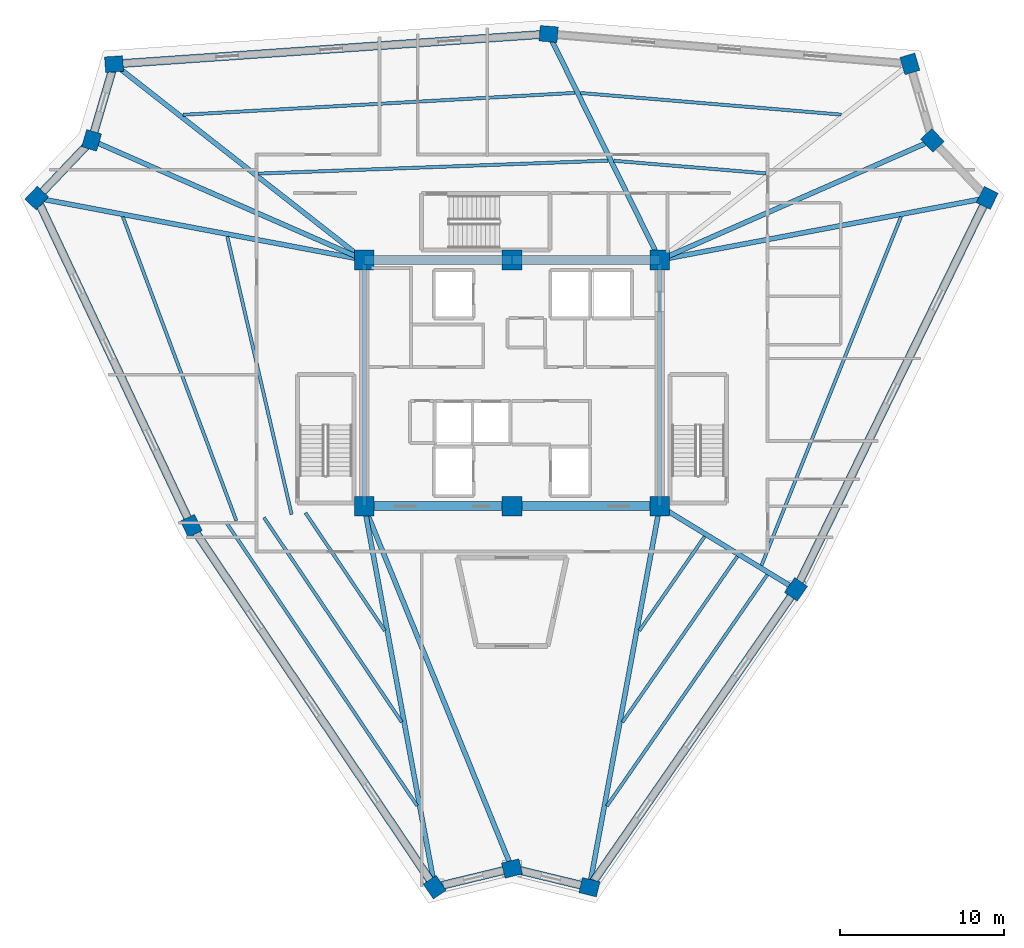
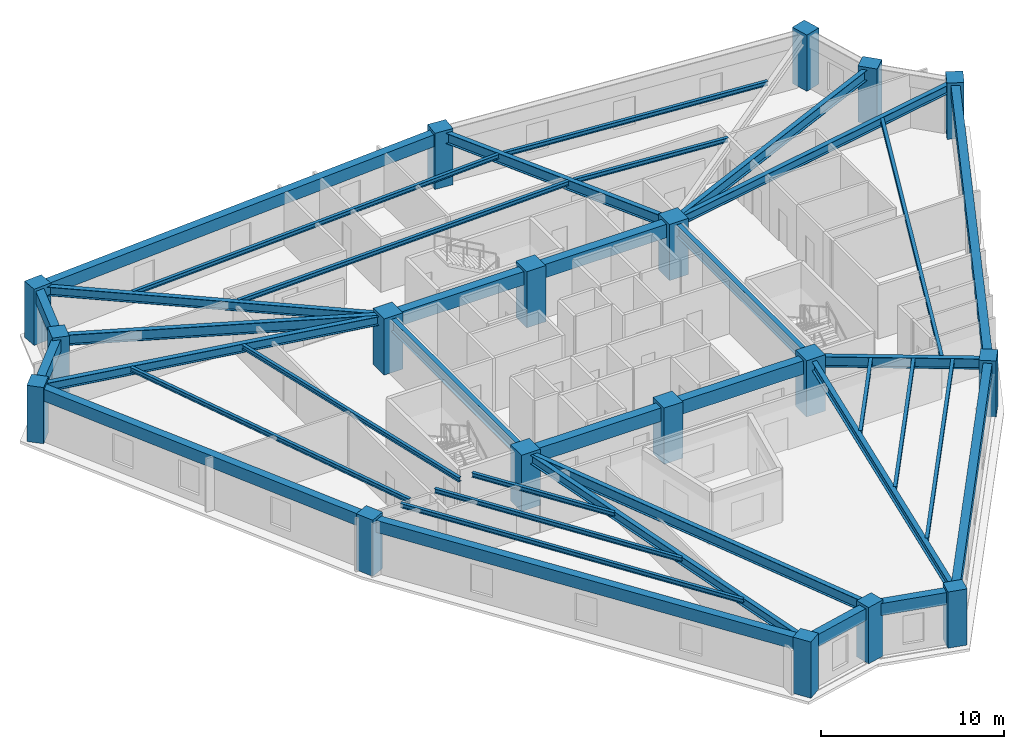
# One storey, part 1 of 10: 38 beams, 18 columns.
"""IFC4 building model written with IfcOpenShell, lengths in metres."""

from ifc_helpers import new_model, si_unit, direction, frame, origin, origin_2d, place, context, subcontext, project, spatial, rectangle, i_section, extrude, source, transform, mapped, material, material_profile, profile_set, type_object, element, save


model = new_model("IFC4")

# Units and contexts
model_context = context("Model", 3, precision=1e-05, world=origin(), true_north=direction((0.0, 1.0)))
body_context = subcontext(model_context, "Body", "Model", "MODEL_VIEW")
ifc_project = project(units=[si_unit("LENGTHUNIT", "METRE"), si_unit("AREAUNIT", "SQUARE_METRE"), si_unit("VOLUMEUNIT", "CUBIC_METRE"), si_unit("PLANEANGLEUNIT", "RADIAN"), si_unit("MASSUNIT", "GRAM", prefix="KILO")], contexts=[model_context])

# Site, building, storey
site_placement = place(None, origin())
site = spatial("IfcSite", under=ifc_project, at=site_placement, CompositionType="ELEMENT")
building_placement = place(site_placement, origin())
building = spatial("IfcBuilding", under=site, at=building_placement, Name="Liaohun Quay Tower", CompositionType="ELEMENT")
storey_placement = place(building_placement, frame((0.0, 0.0, 339.75)))
storey = spatial("IfcBuildingStorey", under=building, at=storey_placement, Name="L88", CompositionType="ELEMENT", Elevation=339.75)

# Columns
ifc_material_1 = material(Name="Concrete C50", Category="concrete")
ifc_material_profile_1 = material_profile(ifc_material_1, rectangle(XDim=1.199951171875, YDim=1.199951171875, at=origin_2d()), Name="RC1200x1200")
ifc_profile_set_1 = profile_set([ifc_material_profile_1], Name="Concrete C50")
column_type_1 = type_object("IfcColumnType", Name="COL-CC-Z4", PredefinedType="COLUMN", material=ifc_profile_set_1)
shared_shape_1 = source(origin(), body_context, "Body", "SweptSolid", [
    extrude(rectangle(XDim=1.199951171875, YDim=1.199951171875, at=origin_2d()), origin(), (0.0, 0.0, 1.0), 3.75),
])
for number, where, z_axis, x_axis, name in (
    (1, (51.0, 46.5, 0.0), (0.0, 0.0, 1.0), (1.0, 0.0, 0.0), "L88 Core Column CC1"),
    (2, (60.0, 46.5, 0.0), (0.0, 0.0, 1.0), (1.0, 0.0, 0.0), "L88 Core Column CC2"),
    (3, (69.0, 46.5, 0.0), (0.0, 0.0, 1.0), (1.0, 0.0, 0.0), "L88 Core Column CC3"),
    (4, (69.0, 61.5, 0.0), (0.0, 0.0, 1.0), (1.0, 0.0, 0.0), "L88 Core Column CC4"),
    (5, (60.0, 61.5, 0.0), (0.0, 0.0, 1.0), (1.0, 0.0, 0.0), "L88 Core Column CC5"),
    (6, (51.0, 61.5, 0.0), (0.0, 0.0, 1.0), (1.0, 0.0, 0.0), "L88 Core Column CC6"),
):
    element("IfcColumn", number, at=place(storey_placement, frame(where, z_axis=z_axis, x_axis=x_axis)), inside=storey, type_object=column_type_1, Name=name, PredefinedType="COLUMN", context=body_context, shape_type="MappedRepresentation", body=[
        mapped(shared_shape_1, transform((0.0, 0.0, 0.0), x_axis=(1.0, 0.0, 0.0), y_axis=(0.0, 1.0, 0.0), z_axis=(0.0, 0.0, 1.0), scale=1.0)),
    ])
ifc_material_profile_2 = material_profile(ifc_material_1, rectangle(XDim=1.10009765625, YDim=0.949951171875, at=origin_2d()), Name="RC1100x950")
ifc_profile_set_2 = profile_set([ifc_material_profile_2], Name="Concrete C50")
column_type_2 = type_object("IfcColumnType", Name="COL-PIER-Z4", PredefinedType="COLUMN", material=ifc_profile_set_2)
shared_shape_2 = source(origin(), body_context, "Body", "SweptSolid", [
    extrude(rectangle(XDim=1.10009765625, YDim=0.949951171875, at=origin_2d()), origin(), (0.0, 0.0, 1.0), 3.75),
])
for number, where, z_axis, x_axis, name in (
    (7, (55.29296875, 23.2939453125, 0.0), (0.0, 0.0, 1.0), (-0.558613989835, 0.829427760785, 0.0), "L88 Perimeter Pier PC01"),
    (8, (40.468994140625, 45.302978515625, 0.0), (0.0, 0.0, 1.0), (-0.426726590606, 0.904380681389, 0.0), "L88 Perimeter Pier PC02"),
    (9, (31.048095703125, 65.27001953125, 0.0), (0.0, 0.0, 1.0), (0.689493141399, 0.724292211723, 0.0), "L88 Perimeter Pier PC03"),
    (10, (34.39306640625, 68.783935546875, 0.0), (0.0, 0.0, 1.0), (0.282676303383, 0.959215360337, 0.0), "L88 Perimeter Pier PC04"),
    (11, (35.761962890625, 73.429931640625, 0.0), (0.0, 0.0, 1.0), (0.997612506361, 0.069060025714, 0.0), "L88 Perimeter Pier PC05"),
    (12, (62.23388671875, 75.262939453125, 0.0), (0.0, 0.0, 1.0), (-0.996579940078, 0.08263427276, 0.0), "L88 Perimeter Pier PC06"),
    (13, (84.235107421875, 73.43798828125, 0.0), (0.0, 0.0, 1.0), (-0.282676303383, 0.959215360337, 0.0), "L88 Perimeter Pier PC07"),
    (14, (85.60693359375, 68.783935546875, 0.0), (0.0, 0.0, 1.0), (-0.689493141399, 0.724292211723, 0.0), "L88 Perimeter Pier PC08"),
    (15, (88.946044921875, 65.27587890625, 0.0), (0.0, 0.0, 1.0), (0.438998516526, 0.898487786499, 0.0), "L88 Perimeter Pier PC09"),
    (16, (77.297119140625, 41.43408203125, 0.0), (0.0, 0.0, 1.0), (0.569853349472, 0.82174640863, 0.0), "L88 Perimeter Pier PC10"),
    (17, (64.715087890625, 23.2919921875, 0.0), (0.0, 0.0, 1.0), (-0.972043021443, 0.234802820391, 0.0), "L88 Perimeter Pier PC11"),
    (18, (60.0, 24.430908203125, 0.0), (0.0, 0.0, 1.0), (0.972043021443, 0.234802820391, 0.0), "L88 Perimeter Pier PC12"),
):
    element("IfcColumn", number, at=place(storey_placement, frame(where, z_axis=z_axis, x_axis=x_axis)), inside=storey, type_object=column_type_2, Name=name, PredefinedType="COLUMN", context=body_context, shape_type="MappedRepresentation", body=[
        mapped(shared_shape_2, transform((0.0, 0.0, 0.0), x_axis=(1.0, 0.0, 0.0), y_axis=(0.0, 1.0, 0.0), z_axis=(0.0, 0.0, 1.0), scale=1.0)),
    ])

# Beams
ifc_material_2 = material(Name="Steel Q355D", Category="steel")
ifc_material_profile_3 = material_profile(ifc_material_2, i_section(OverallWidth=0.300048828125, OverallDepth=0.800048828125, WebThickness=0.013916015625, FlangeThickness=0.02587890625, at=origin_2d()), Name="HN800x300x14x26")
ifc_profile_set_3 = profile_set([ifc_material_profile_3], Name="Steel Q355D")
beam_type_1 = type_object("IfcBeamType", Name="BM-RAD-M1", PredefinedType="BEAM", material=ifc_profile_set_3)
shared_shape_3 = source(origin(), body_context, "Body", "SweptSolid", [
    extrude(i_section(OverallWidth=0.300048828125, OverallDepth=0.800048828125, WebThickness=0.013916015625, FlangeThickness=0.02587890625, at=origin_2d()), origin(), (0.0, 0.0, 1.0), 15.0),
])
for number, where, z_axis, x_axis, name in (
    (19, (69.0, 46.5, 3.169921875), (0.0, 1.0, 0.0), (-1.0, 0.0, 0.0), "L88 Core Coupling/Ring Beam CC3-CC4"),
    (20, (51.0, 61.5, 3.169921875), (0.0, -1.0, 0.0), (1.0, 0.0, 0.0), "L88 Core Coupling/Ring Beam CC6-CC1"),
):
    element("IfcBeam", number, at=place(storey_placement, frame(where, z_axis=z_axis, x_axis=x_axis)), inside=storey, type_object=beam_type_1, Name=name, PredefinedType="BEAM", context=body_context, shape_type="MappedRepresentation", body=[
        mapped(shared_shape_3, transform((0.0, 0.0, 0.0), x_axis=(1.0, 0.0, 0.0), y_axis=(0.0, 1.0, 0.0), z_axis=(0.0, 0.0, 1.0), scale=1.0)),
    ])
ifc_material_3 = material(Name="Concrete C55", Category="concrete")
ifc_material_profile_4 = material_profile(ifc_material_3, rectangle(XDim=0.550048828125, YDim=0.89990234375, at=origin_2d()), Name="RC550x900")
ifc_profile_set_4 = profile_set([ifc_material_profile_4], Name="Concrete C55")
beam_type_2 = type_object("IfcBeamType", Name="BM-CPL-2", PredefinedType="LINTEL", material=ifc_profile_set_4)
shared_shape_4 = source(origin(), body_context, "Body", "SweptSolid", [
    extrude(rectangle(XDim=0.550048828125, YDim=0.89990234375, at=origin_2d()), origin(), (0.0, 0.0, 1.0), 9.0),
])
for number, where, z_axis, x_axis, name in (
    (21, (51.0, 46.5, 3.1201171875), (1.0, 0.0, 0.0), (0.0, 1.0, 0.0), "L88 Core Coupling/Ring Beam CC1-CC2"),
    (22, (60.0, 46.5, 3.1201171875), (1.0, 0.0, 0.0), (0.0, 1.0, 0.0), "L88 Core Coupling/Ring Beam CC2-CC3"),
    (23, (69.0, 61.5, 3.1201171875), (-1.0, 0.0, 0.0), (0.0, -1.0, 0.0), "L88 Core Coupling/Ring Beam CC4-CC5"),
    (24, (60.0, 61.5, 3.1201171875), (-1.0, 0.0, 0.0), (0.0, -1.0, 0.0), "L88 Core Coupling/Ring Beam CC5-CC6"),
):
    element("IfcBeam", number, at=place(storey_placement, frame(where, z_axis=z_axis, x_axis=x_axis)), inside=storey, type_object=beam_type_2, Name=name, PredefinedType="LINTEL", context=body_context, shape_type="MappedRepresentation", body=[
        mapped(shared_shape_4, transform((0.0, 0.0, 0.0), x_axis=(1.0, 0.0, 0.0), y_axis=(0.0, 1.0, 0.0), z_axis=(0.0, 0.0, 1.0), scale=1.0)),
    ])
ifc_material_profile_5 = material_profile(ifc_material_2, i_section(OverallWidth=0.300048828125, OverallDepth=0.587890625, WebThickness=0.011962890625, FlangeThickness=0.02001953125, at=origin_2d()), Name="HM588x300x12x20")
ifc_profile_set_5 = profile_set([ifc_material_profile_5], Name="Steel Q355D")
beam_type_3 = type_object("IfcBeamType", Name="BM-RAD-U2", PredefinedType="BEAM", material=ifc_profile_set_5)
shared_shape_5 = source(origin(), body_context, "Body", "SweptSolid", [
    extrude(i_section(OverallWidth=0.300048828125, OverallDepth=0.587890625, WebThickness=0.011962890625, FlangeThickness=0.02001953125, at=origin_2d()), origin(), (0.0, 0.0, 1.0), 23.599853515625),
])
beam_1_placement = place(storey_placement, frame((51.0, 46.5, 3.27587890625), z_axis=(0.181906997941, -0.98331573978, 0.0), x_axis=(0.98331573978, 0.181906997941, 0.0)))
element("IfcBeam", 25, at=beam_1_placement, inside=storey, type_object=beam_type_3, Name="L88 Radial Primary Girder CC1-PC01", PredefinedType="BEAM", context=body_context, shape_type="MappedRepresentation", body=[
    mapped(shared_shape_5, transform((0.0, 0.0, 0.0), x_axis=(1.0, 0.0, 0.0), y_axis=(0.0, 1.0, 0.0), z_axis=(0.0, 0.0, 1.0), scale=1.0)),
])
shared_shape_6 = source(origin(), body_context, "Body", "SweptSolid", [
    extrude(i_section(OverallWidth=0.300048828125, OverallDepth=0.587890625, WebThickness=0.011962890625, FlangeThickness=0.02001953125, at=origin_2d()), origin(), (0.0, 0.0, 1.0), 20.304931640625),
])
beam_2_placement = place(storey_placement, frame((51.0, 61.5, 3.27587890625), z_axis=(-0.982612184872, 0.185669852536, 0.0), x_axis=(-0.185669852536, -0.982612184872, 0.0)))
element("IfcBeam", 26, at=beam_2_placement, inside=storey, type_object=beam_type_3, Name="L88 Radial Primary Girder CC6-PC03", PredefinedType="BEAM", context=body_context, shape_type="MappedRepresentation", body=[
    mapped(shared_shape_6, transform((0.0, 0.0, 0.0), x_axis=(1.0, 0.0, 0.0), y_axis=(0.0, 1.0, 0.0), z_axis=(0.0, 0.0, 1.0), scale=1.0)),
])
ifc_material_profile_6 = material_profile(ifc_material_2, i_section(OverallWidth=0.300048828125, OverallDepth=0.699951171875, WebThickness=0.012939453125, FlangeThickness=0.02392578125, at=origin_2d()), Name="HN700x300x13x24")
ifc_profile_set_6 = profile_set([ifc_material_profile_6], Name="Steel Q355D")
beam_type_4 = type_object("IfcBeamType", Name="BM-RAD-U1", PredefinedType="BEAM", material=ifc_profile_set_6)
shared_shape_7 = source(origin(), body_context, "Body", "SweptSolid", [
    extrude(i_section(OverallWidth=0.300048828125, OverallDepth=0.699951171875, WebThickness=0.012939453125, FlangeThickness=0.02392578125, at=origin_2d()), origin(), (0.0, 0.0, 1.0), 18.134033203125),
])
for number, where, z_axis, x_axis, name in (
    (27, (51.0, 61.5, 3.219970703125), (-0.915784299111, 0.401670409044, 0.0), (-0.401670409044, -0.915784299111, 0.0), "L88 Radial Primary Girder CC6-PC04"),
    (28, (69.0, 61.5, 3.219970703125), (0.915784299111, 0.401670409044, 0.0), (-0.401670409044, 0.915784299111, 0.0), "L88 Radial Primary Girder CC4-PC08"),
):
    element("IfcBeam", number, at=place(storey_placement, frame(where, z_axis=z_axis, x_axis=x_axis)), inside=storey, type_object=beam_type_4, Name=name, PredefinedType="BEAM", context=body_context, shape_type="MappedRepresentation", body=[
        mapped(shared_shape_7, transform((0.0, 0.0, 0.0), x_axis=(1.0, 0.0, 0.0), y_axis=(0.0, 1.0, 0.0), z_axis=(0.0, 0.0, 1.0), scale=1.0)),
    ])
shared_shape_8 = source(origin(), body_context, "Body", "SweptSolid", [
    extrude(i_section(OverallWidth=0.300048828125, OverallDepth=0.587890625, WebThickness=0.011962890625, FlangeThickness=0.02001953125, at=origin_2d()), origin(), (0.0, 0.0, 1.0), 19.3525390625),
])
beam_3_placement = place(storey_placement, frame((51.0, 61.5, 3.27587890625), z_axis=(-0.787391848215, 0.616452818442, 0.0), x_axis=(-0.616452818442, -0.787391848215, 0.0)))
element("IfcBeam", 29, at=beam_3_placement, inside=storey, type_object=beam_type_3, Name="L88 Radial Primary Girder CC6-PC05", PredefinedType="BEAM", context=body_context, shape_type="MappedRepresentation", body=[
    mapped(shared_shape_8, transform((0.0, 0.0, 0.0), x_axis=(1.0, 0.0, 0.0), y_axis=(0.0, 1.0, 0.0), z_axis=(0.0, 0.0, 1.0), scale=1.0)),
])
shared_shape_9 = source(origin(), body_context, "Body", "SweptSolid", [
    extrude(i_section(OverallWidth=0.300048828125, OverallDepth=0.699951171875, WebThickness=0.012939453125, FlangeThickness=0.02392578125, at=origin_2d()), origin(), (0.0, 0.0, 1.0), 15.336181640625),
])
beam_4_placement = place(storey_placement, frame((69.0, 61.5, 3.219970703125), z_axis=(-0.441185999181, 0.897415686361, 0.0), x_axis=(-0.897415686361, -0.441185999181, 0.0)))
element("IfcBeam", 30, at=beam_4_placement, inside=storey, type_object=beam_type_4, Name="L88 Radial Primary Girder CC4-PC06", PredefinedType="BEAM", context=body_context, shape_type="MappedRepresentation", body=[
    mapped(shared_shape_9, transform((0.0, 0.0, 0.0), x_axis=(1.0, 0.0, 0.0), y_axis=(0.0, 1.0, 0.0), z_axis=(0.0, 0.0, 1.0), scale=1.0)),
])
shared_shape_10 = source(origin(), body_context, "Body", "SweptSolid", [
    extrude(i_section(OverallWidth=0.300048828125, OverallDepth=0.587890625, WebThickness=0.011962890625, FlangeThickness=0.02001953125, at=origin_2d()), origin(), (0.0, 0.0, 1.0), 20.30029296875),
])
beam_5_placement = place(storey_placement, frame((69.0, 61.5, 3.27587890625), z_axis=(0.982549519823, 0.186001185738, 0.0), x_axis=(-0.186001185738, 0.982549519823, 0.0)))
element("IfcBeam", 31, at=beam_5_placement, inside=storey, type_object=beam_type_3, Name="L88 Radial Primary Girder CC4-PC09", PredefinedType="BEAM", context=body_context, shape_type="MappedRepresentation", body=[
    mapped(shared_shape_10, transform((0.0, 0.0, 0.0), x_axis=(1.0, 0.0, 0.0), y_axis=(0.0, 1.0, 0.0), z_axis=(0.0, 0.0, 1.0), scale=1.0)),
])
shared_shape_11 = source(origin(), body_context, "Body", "SweptSolid", [
    extrude(i_section(OverallWidth=0.300048828125, OverallDepth=0.699951171875, WebThickness=0.012939453125, FlangeThickness=0.02392578125, at=origin_2d()), origin(), (0.0, 0.0, 1.0), 9.721435546875),
])
beam_6_placement = place(storey_placement, frame((69.0, 46.5, 3.219970703125), z_axis=(0.853489729957, -0.521109662987, 0.0), x_axis=(0.521109662987, 0.853489729957, 0.0)))
element("IfcBeam", 32, at=beam_6_placement, inside=storey, type_object=beam_type_4, Name="L88 Radial Primary Girder CC3-PC10", PredefinedType="BEAM", context=body_context, shape_type="MappedRepresentation", body=[
    mapped(shared_shape_11, transform((0.0, 0.0, 0.0), x_axis=(1.0, 0.0, 0.0), y_axis=(0.0, 1.0, 0.0), z_axis=(0.0, 0.0, 1.0), scale=1.0)),
])
shared_shape_12 = source(origin(), body_context, "Body", "SweptSolid", [
    extrude(i_section(OverallWidth=0.300048828125, OverallDepth=0.587890625, WebThickness=0.011962890625, FlangeThickness=0.02001953125, at=origin_2d()), origin(), (0.0, 0.0, 1.0), 23.600341796875),
])
beam_7_placement = place(storey_placement, frame((69.0, 46.5, 3.27587890625), z_axis=(-0.181562100476, -0.98337948101, 0.0), x_axis=(0.98337948101, -0.181562100476, 0.0)))
element("IfcBeam", 33, at=beam_7_placement, inside=storey, type_object=beam_type_3, Name="L88 Radial Primary Girder CC3-PC11", PredefinedType="BEAM", context=body_context, shape_type="MappedRepresentation", body=[
    mapped(shared_shape_12, transform((0.0, 0.0, 0.0), x_axis=(1.0, 0.0, 0.0), y_axis=(0.0, 1.0, 0.0), z_axis=(0.0, 0.0, 1.0), scale=1.0)),
])
shared_shape_13 = source(origin(), body_context, "Body", "SweptSolid", [
    extrude(i_section(OverallWidth=0.300048828125, OverallDepth=0.699951171875, WebThickness=0.012939453125, FlangeThickness=0.02392578125, at=origin_2d()), origin(), (0.0, 0.0, 1.0), 23.833740234375),
])
beam_8_placement = place(storey_placement, frame((51.0, 46.5, 3.219970703125), z_axis=(0.377616715366, -0.92596199505, 0.0), x_axis=(0.92596199505, 0.377616715366, 0.0)))
element("IfcBeam", 34, at=beam_8_placement, inside=storey, type_object=beam_type_4, Name="L88 Radial Primary Girder CC1-PC12", PredefinedType="BEAM", context=body_context, shape_type="MappedRepresentation", body=[
    mapped(shared_shape_13, transform((0.0, 0.0, 0.0), x_axis=(1.0, 0.0, 0.0), y_axis=(0.0, 1.0, 0.0), z_axis=(0.0, 0.0, 1.0), scale=1.0)),
])
ifc_material_profile_7 = material_profile(ifc_material_2, i_section(OverallWidth=0.199951171875, OverallDepth=0.2939453125, WebThickness=0.008056640625, FlangeThickness=0.011962890625, at=origin_2d()), Name="HM294x200x8x12")
ifc_profile_set_7 = profile_set([ifc_material_profile_7], Name="Steel Q355D")
beam_type_5 = type_object("IfcBeamType", Name="BM-SEC-J4", PredefinedType="JOIST", material=ifc_profile_set_7)
shared_shape_14 = source(origin(), body_context, "Body", "SweptSolid", [
    extrude(i_section(OverallWidth=0.199951171875, OverallDepth=0.2939453125, WebThickness=0.008056640625, FlangeThickness=0.011962890625, at=origin_2d()), origin(), (0.0, 0.0, 1.0), 8.64599609375),
])
beam_9_placement = place(storey_placement, frame((52.2490234375, 38.922119140625, 3.423095703125), z_axis=(-0.558655882826, 0.8293995446, 0.0), x_axis=(-0.8293995446, -0.558655882826, 0.0)))
element("IfcBeam", 35, at=beam_9_placement, inside=storey, type_object=beam_type_5, Name="L88 Wing Secondary Floor Joist SJ-01", PredefinedType="JOIST", context=body_context, shape_type="MappedRepresentation", body=[
    mapped(shared_shape_14, transform((0.0, 0.0, 0.0), x_axis=(1.0, 0.0, 0.0), y_axis=(0.0, 1.0, 0.0), z_axis=(0.0, 0.0, 1.0), scale=1.0)),
])
shared_shape_15 = source(origin(), body_context, "Body", "SweptSolid", [
    extrude(i_section(OverallWidth=0.199951171875, OverallDepth=0.2939453125, WebThickness=0.008056640625, FlangeThickness=0.011962890625, at=origin_2d()), origin(), (0.0, 0.0, 1.0), 15.014404296875),
])
beam_10_placement = place(storey_placement, frame((53.280029296875, 33.35302734375, 3.423095703125), z_axis=(-0.558660192246, 0.829396641903, 0.0), x_axis=(-0.829396641903, -0.558660192246, 0.0)))
element("IfcBeam", 36, at=beam_10_placement, inside=storey, type_object=beam_type_5, Name="L88 Wing Secondary Floor Joist SJ-02", PredefinedType="JOIST", context=body_context, shape_type="MappedRepresentation", body=[
    mapped(shared_shape_15, transform((0.0, 0.0, 0.0), x_axis=(1.0, 0.0, 0.0), y_axis=(0.0, 1.0, 0.0), z_axis=(0.0, 0.0, 1.0), scale=1.0)),
])
shared_shape_16 = source(origin(), body_context, "Body", "SweptSolid", [
    extrude(i_section(OverallWidth=0.199951171875, OverallDepth=0.2939453125, WebThickness=0.008056640625, FlangeThickness=0.011962890625, at=origin_2d()), origin(), (0.0, 0.0, 1.0), 20.852294921875),
])
beam_11_placement = place(storey_placement, frame((54.22412109375, 28.2470703125, 3.423095703125), z_axis=(-0.558652159072, 0.829402052785, 0.0), x_axis=(-0.829402052785, -0.558652159072, 0.0)))
element("IfcBeam", 37, at=beam_11_placement, inside=storey, type_object=beam_type_5, Name="L88 Wing Secondary Floor Joist SJ-03", PredefinedType="JOIST", context=body_context, shape_type="MappedRepresentation", body=[
    mapped(shared_shape_16, transform((0.0, 0.0, 0.0), x_axis=(1.0, 0.0, 0.0), y_axis=(0.0, 1.0, 0.0), z_axis=(0.0, 0.0, 1.0), scale=1.0)),
])
shared_shape_17 = source(origin(), body_context, "Body", "SweptSolid", [
    extrude(i_section(OverallWidth=0.199951171875, OverallDepth=0.2939453125, WebThickness=0.008056640625, FlangeThickness=0.011962890625, at=origin_2d()), origin(), (0.0, 0.0, 1.0), 17.375),
])
beam_12_placement = place(storey_placement, frame((46.576904296875, 45.9970703125, 3.423095703125), z_axis=(-0.225607553343, 0.974218267061, 0.0), x_axis=(-0.974218267061, -0.225607553343, 0.0)))
element("IfcBeam", 38, at=beam_12_placement, inside=storey, type_object=beam_type_5, Name="L88 Wing Secondary Floor Joist SJ-04", PredefinedType="JOIST", context=body_context, shape_type="MappedRepresentation", body=[
    mapped(shared_shape_17, transform((0.0, 0.0, 0.0), x_axis=(1.0, 0.0, 0.0), y_axis=(0.0, 1.0, 0.0), z_axis=(0.0, 0.0, 1.0), scale=1.0)),
])
shared_shape_18 = source(origin(), body_context, "Body", "SweptSolid", [
    extrude(i_section(OverallWidth=0.199951171875, OverallDepth=0.2939453125, WebThickness=0.008056640625, FlangeThickness=0.011962890625, at=origin_2d()), origin(), (0.0, 0.0, 1.0), 19.759521484375),
])
beam_13_placement = place(storey_placement, frame((43.20703125, 45.614013671875, 3.423095703125), z_axis=(-0.349699944184, 0.936861755564, 0.0), x_axis=(-0.936861755564, -0.349699944184, 0.0)))
element("IfcBeam", 39, at=beam_13_placement, inside=storey, type_object=beam_type_5, Name="L88 Wing Secondary Floor Joist SJ-05", PredefinedType="JOIST", context=body_context, shape_type="MappedRepresentation", body=[
    mapped(shared_shape_18, transform((0.0, 0.0, 0.0), x_axis=(1.0, 0.0, 0.0), y_axis=(0.0, 1.0, 0.0), z_axis=(0.0, 0.0, 1.0), scale=1.0)),
])
shared_shape_19 = source(origin(), body_context, "Body", "SweptSolid", [
    extrude(i_section(OverallWidth=0.199951171875, OverallDepth=0.2939453125, WebThickness=0.008056640625, FlangeThickness=0.011962890625, at=origin_2d()), origin(), (0.0, 0.0, 1.0), 21.345458984375),
])
beam_14_placement = place(storey_placement, frame((44.528076171875, 66.758056640625, 3.423095703125), z_axis=(0.999311429617, 0.037103458558, 0.0), x_axis=(-0.037103458558, 0.999311429617, 0.0)))
element("IfcBeam", 40, at=beam_14_placement, inside=storey, type_object=beam_type_5, Name="L88 Wing Secondary Floor Joist SJ-06", PredefinedType="JOIST", context=body_context, shape_type="MappedRepresentation", body=[
    mapped(shared_shape_19, transform((0.0, 0.0, 0.0), x_axis=(1.0, 0.0, 0.0), y_axis=(0.0, 1.0, 0.0), z_axis=(0.0, 0.0, 1.0), scale=1.0)),
])
shared_shape_20 = source(origin(), body_context, "Body", "SweptSolid", [
    extrude(i_section(OverallWidth=0.199951171875, OverallDepth=0.2939453125, WebThickness=0.008056640625, FlangeThickness=0.011962890625, at=origin_2d()), origin(), (0.0, 0.0, 1.0), 23.91650390625),
])
beam_15_placement = place(storey_placement, frame((39.950927734375, 70.341064453125, 3.423095703125), z_axis=(0.998440975857, 0.055817718778, 0.0), x_axis=(-0.055817718778, 0.998440975857, 0.0)))
element("IfcBeam", 41, at=beam_15_placement, inside=storey, type_object=beam_type_5, Name="L88 Wing Secondary Floor Joist SJ-07", PredefinedType="JOIST", context=body_context, shape_type="MappedRepresentation", body=[
    mapped(shared_shape_20, transform((0.0, 0.0, 0.0), x_axis=(1.0, 0.0, 0.0), y_axis=(0.0, 1.0, 0.0), z_axis=(0.0, 0.0, 1.0), scale=1.0)),
])
shared_shape_21 = source(origin(), body_context, "Body", "SweptSolid", [
    extrude(i_section(OverallWidth=0.199951171875, OverallDepth=0.2939453125, WebThickness=0.008056640625, FlangeThickness=0.011962890625, at=origin_2d()), origin(), (0.0, 0.0, 1.0), 9.31787109375),
])
beam_16_placement = place(storey_placement, frame((66.197021484375, 67.541015625, 3.423095703125), z_axis=(0.996579466831, -0.082639979976, 0.0), x_axis=(0.082639979976, 0.996579466831, 0.0)))
element("IfcBeam", 42, at=beam_16_placement, inside=storey, type_object=beam_type_5, Name="L88 Wing Secondary Floor Joist SJ-08", PredefinedType="JOIST", context=body_context, shape_type="MappedRepresentation", body=[
    mapped(shared_shape_21, transform((0.0, 0.0, 0.0), x_axis=(1.0, 0.0, 0.0), y_axis=(0.0, 1.0, 0.0), z_axis=(0.0, 0.0, 1.0), scale=1.0)),
])
shared_shape_22 = source(origin(), body_context, "Body", "SweptSolid", [
    extrude(i_section(OverallWidth=0.199951171875, OverallDepth=0.2939453125, WebThickness=0.008056640625, FlangeThickness=0.011962890625, at=origin_2d()), origin(), (0.0, 0.0, 1.0), 15.941650390625),
])
beam_17_placement = place(storey_placement, frame((64.1669921875, 71.669921875, 3.423095703125), z_axis=(0.996577055994, -0.082669047812, 0.0), x_axis=(0.082669047812, 0.996577055994, 0.0)))
element("IfcBeam", 43, at=beam_17_placement, inside=storey, type_object=beam_type_5, Name="L88 Wing Secondary Floor Joist SJ-09", PredefinedType="JOIST", context=body_context, shape_type="MappedRepresentation", body=[
    mapped(shared_shape_22, transform((0.0, 0.0, 0.0), x_axis=(1.0, 0.0, 0.0), y_axis=(0.0, 1.0, 0.0), z_axis=(0.0, 0.0, 1.0), scale=1.0)),
])
shared_shape_23 = source(origin(), body_context, "Body", "SweptSolid", [
    extrude(i_section(OverallWidth=0.199951171875, OverallDepth=0.2939453125, WebThickness=0.008056640625, FlangeThickness=0.011962890625, at=origin_2d()), origin(), (0.0, 0.0, 1.0), 22.8740234375),
])
beam_18_placement = place(storey_placement, frame((83.694091796875, 64.12890625, 3.423095703125), z_axis=(-0.371515808082, -0.928426628413, 0.0), x_axis=(0.928426628413, -0.371515808082, 0.0)))
element("IfcBeam", 44, at=beam_18_placement, inside=storey, type_object=beam_type_5, Name="L88 Wing Secondary Floor Joist SJ-11", PredefinedType="JOIST", context=body_context, shape_type="MappedRepresentation", body=[
    mapped(shared_shape_23, transform((0.0, 0.0, 0.0), x_axis=(1.0, 0.0, 0.0), y_axis=(0.0, 1.0, 0.0), z_axis=(0.0, 0.0, 1.0), scale=1.0)),
])
shared_shape_24 = source(origin(), body_context, "Body", "SweptSolid", [
    extrude(i_section(OverallWidth=0.199951171875, OverallDepth=0.2939453125, WebThickness=0.008056640625, FlangeThickness=0.011962890625, at=origin_2d()), origin(), (0.0, 0.0, 1.0), 6.991455078125),
])
beam_19_placement = place(storey_placement, frame((71.735107421875, 44.654052734375, 3.423095703125), z_axis=(-0.569861689004, -0.821740625384, 0.0), x_axis=(0.821740625384, -0.569861689004, 0.0)))
element("IfcBeam", 45, at=beam_19_placement, inside=storey, type_object=beam_type_5, Name="L88 Wing Secondary Floor Joist SJ-12", PredefinedType="JOIST", context=body_context, shape_type="MappedRepresentation", body=[
    mapped(shared_shape_24, transform((0.0, 0.0, 0.0), x_axis=(1.0, 0.0, 0.0), y_axis=(0.0, 1.0, 0.0), z_axis=(0.0, 0.0, 1.0), scale=1.0)),
])
shared_shape_25 = source(origin(), body_context, "Body", "SweptSolid", [
    extrude(i_section(OverallWidth=0.199951171875, OverallDepth=0.2939453125, WebThickness=0.008056640625, FlangeThickness=0.011962890625, at=origin_2d()), origin(), (0.0, 0.0, 1.0), 12.2900390625),
])
beam_20_placement = place(storey_placement, frame((73.72705078125, 43.43798828125, 3.423095703125), z_axis=(-0.569903934807, -0.821711327104, 0.0), x_axis=(0.821711327104, -0.569903934807, 0.0)))
element("IfcBeam", 46, at=beam_20_placement, inside=storey, type_object=beam_type_5, Name="L88 Wing Secondary Floor Joist SJ-13", PredefinedType="JOIST", context=body_context, shape_type="MappedRepresentation", body=[
    mapped(shared_shape_25, transform((0.0, 0.0, 0.0), x_axis=(1.0, 0.0, 0.0), y_axis=(0.0, 1.0, 0.0), z_axis=(0.0, 0.0, 1.0), scale=1.0)),
])
shared_shape_26 = source(origin(), body_context, "Body", "SweptSolid", [
    extrude(i_section(OverallWidth=0.199951171875, OverallDepth=0.2939453125, WebThickness=0.008056640625, FlangeThickness=0.011962890625, at=origin_2d()), origin(), (0.0, 0.0, 1.0), 17.14794921875),
])
beam_21_placement = place(storey_placement, frame((75.552001953125, 42.323974609375, 3.423095703125), z_axis=(-0.569865001895, -0.821738327946, 0.0), x_axis=(0.821738327946, -0.569865001895, 0.0)))
element("IfcBeam", 47, at=beam_21_placement, inside=storey, type_object=beam_type_5, Name="L88 Wing Secondary Floor Joist SJ-14", PredefinedType="JOIST", context=body_context, shape_type="MappedRepresentation", body=[
    mapped(shared_shape_26, transform((0.0, 0.0, 0.0), x_axis=(1.0, 0.0, 0.0), y_axis=(0.0, 1.0, 0.0), z_axis=(0.0, 0.0, 1.0), scale=1.0)),
])
ifc_material_4 = material(Name="Precast concrete C50", Category="concrete")
ifc_material_profile_8 = material_profile(ifc_material_4, rectangle(XDim=0.5, YDim=0.800048828125, at=origin_2d()), Name="RC500x800")
ifc_profile_set_8 = profile_set([ifc_material_profile_8], Name="Precast concrete C50")
beam_type_6 = type_object("IfcBeamType", Name="BM-SPD-Z4", PredefinedType="SPANDREL", material=ifc_profile_set_8)
shared_shape_27 = source(origin(), body_context, "Body", "SweptSolid", [
    extrude(rectangle(XDim=0.5, YDim=0.800048828125, at=origin_2d()), origin(), (0.0, 0.0, 1.0), 26.535888671875),
])
beam_22_placement = place(storey_placement, frame((55.29296875, 23.2939453125, 3.169921875), z_axis=(-0.558640939792, 0.829409609534, 0.0), x_axis=(-0.829409609534, -0.558640939792, 0.0)))
element("IfcBeam", 48, at=beam_22_placement, inside=storey, type_object=beam_type_6, Name="L88 Precast Spandrel Beam PC01-PC02", PredefinedType="SPANDREL", context=body_context, shape_type="MappedRepresentation", body=[
    mapped(shared_shape_27, transform((0.0, 0.0, 0.0), x_axis=(1.0, 0.0, 0.0), y_axis=(0.0, 1.0, 0.0), z_axis=(0.0, 0.0, 1.0), scale=1.0)),
])
shared_shape_28 = source(origin(), body_context, "Body", "SweptSolid", [
    extrude(rectangle(XDim=0.5, YDim=0.800048828125, at=origin_2d()), origin(), (0.0, 0.0, 1.0), 22.077880859375),
])
beam_23_placement = place(storey_placement, frame((40.468994140625, 45.302978515625, 3.169921875), z_axis=(-0.426710664555, 0.904388195829, 0.0), x_axis=(-0.904388195829, -0.426710664555, 0.0)))
element("IfcBeam", 49, at=beam_23_placement, inside=storey, type_object=beam_type_6, Name="L88 Precast Spandrel Beam PC02-PC03", PredefinedType="SPANDREL", context=body_context, shape_type="MappedRepresentation", body=[
    mapped(shared_shape_28, transform((0.0, 0.0, 0.0), x_axis=(1.0, 0.0, 0.0), y_axis=(0.0, 1.0, 0.0), z_axis=(0.0, 0.0, 1.0), scale=1.0)),
])
shared_shape_29 = source(origin(), body_context, "Body", "SweptSolid", [
    extrude(rectangle(XDim=0.5, YDim=0.800048828125, at=origin_2d()), origin(), (0.0, 0.0, 1.0), 4.851318359375),
])
beam_24_placement = place(storey_placement, frame((31.048095703125, 65.27001953125, 3.169921875), z_axis=(0.689480486578, 0.724304258325, 0.0), x_axis=(-0.724304258325, 0.689480486578, 0.0)))
element("IfcBeam", 50, at=beam_24_placement, inside=storey, type_object=beam_type_6, Name="L88 Precast Spandrel Beam PC03-PC04", PredefinedType="SPANDREL", context=body_context, shape_type="MappedRepresentation", body=[
    mapped(shared_shape_29, transform((0.0, 0.0, 0.0), x_axis=(1.0, 0.0, 0.0), y_axis=(0.0, 1.0, 0.0), z_axis=(0.0, 0.0, 1.0), scale=1.0)),
])
shared_shape_30 = source(origin(), body_context, "Body", "SweptSolid", [
    extrude(rectangle(XDim=0.5, YDim=0.800048828125, at=origin_2d()), origin(), (0.0, 0.0, 1.0), 4.843505859375),
])
beam_25_placement = place(storey_placement, frame((34.39306640625, 68.783935546875, 3.169921875), z_axis=(0.282627491947, 0.95922974349, 0.0), x_axis=(-0.95922974349, 0.282627491947, 0.0)))
element("IfcBeam", 51, at=beam_25_placement, inside=storey, type_object=beam_type_6, Name="L88 Precast Spandrel Beam PC04-PC05", PredefinedType="SPANDREL", context=body_context, shape_type="MappedRepresentation", body=[
    mapped(shared_shape_30, transform((0.0, 0.0, 0.0), x_axis=(1.0, 0.0, 0.0), y_axis=(0.0, 1.0, 0.0), z_axis=(0.0, 0.0, 1.0), scale=1.0)),
])
shared_shape_31 = source(origin(), body_context, "Body", "SweptSolid", [
    extrude(rectangle(XDim=0.5, YDim=0.800048828125, at=origin_2d()), origin(), (0.0, 0.0, 1.0), 26.535400390625),
])
for number, where, z_axis, x_axis, name in (
    (52, (35.761962890625, 73.429931640625, 3.169921875), (0.997611257543, 0.069078063264, 0.0), (-0.069078063264, 0.997611257543, 0.0), "L88 Precast Spandrel Beam PC05-PC06"),
    (53, (88.946044921875, 65.27587890625, 3.169921875), (-0.438995268707, -0.898489373367, 0.0), (0.898489373367, -0.438995268707, 0.0), "L88 Precast Spandrel Beam PC09-PC10"),
):
    element("IfcBeam", number, at=place(storey_placement, frame(where, z_axis=z_axis, x_axis=x_axis)), inside=storey, type_object=beam_type_6, Name=name, PredefinedType="SPANDREL", context=body_context, shape_type="MappedRepresentation", body=[
        mapped(shared_shape_31, transform((0.0, 0.0, 0.0), x_axis=(1.0, 0.0, 0.0), y_axis=(0.0, 1.0, 0.0), z_axis=(0.0, 0.0, 1.0), scale=1.0)),
    ])
shared_shape_32 = source(origin(), body_context, "Body", "SweptSolid", [
    extrude(rectangle(XDim=0.5, YDim=0.800048828125, at=origin_2d()), origin(), (0.0, 0.0, 1.0), 22.078125),
])
beam_26_placement = place(storey_placement, frame((77.297119140625, 41.43408203125, 3.169921875), z_axis=(-0.569887156963, -0.821722963248, 0.0), x_axis=(0.821722963248, -0.569887156963, 0.0)))
element("IfcBeam", 54, at=beam_26_placement, inside=storey, type_object=beam_type_6, Name="L88 Precast Spandrel Beam PC10-PC11", PredefinedType="SPANDREL", context=body_context, shape_type="MappedRepresentation", body=[
    mapped(shared_shape_32, transform((0.0, 0.0, 0.0), x_axis=(1.0, 0.0, 0.0), y_axis=(0.0, 1.0, 0.0), z_axis=(0.0, 0.0, 1.0), scale=1.0)),
])
shared_shape_33 = source(origin(), body_context, "Body", "SweptSolid", [
    extrude(rectangle(XDim=0.5, YDim=0.800048828125, at=origin_2d()), origin(), (0.0, 0.0, 1.0), 4.8505859375),
])
beam_27_placement = place(storey_placement, frame((64.715087890625, 23.2919921875, 3.169921875), z_axis=(-0.972044985249, 0.234794690425, 0.0), x_axis=(-0.234794690425, -0.972044985249, 0.0)))
element("IfcBeam", 55, at=beam_27_placement, inside=storey, type_object=beam_type_6, Name="L88 Precast Spandrel Beam PC11-PC12", PredefinedType="SPANDREL", context=body_context, shape_type="MappedRepresentation", body=[
    mapped(shared_shape_33, transform((0.0, 0.0, 0.0), x_axis=(1.0, 0.0, 0.0), y_axis=(0.0, 1.0, 0.0), z_axis=(0.0, 0.0, 1.0), scale=1.0)),
])
shared_shape_34 = source(origin(), body_context, "Body", "SweptSolid", [
    extrude(rectangle(XDim=0.5, YDim=0.800048828125, at=origin_2d()), origin(), (0.0, 0.0, 1.0), 4.84228515625),
])
beam_28_placement = place(storey_placement, frame((60.0, 24.430908203125, 3.169921875), z_axis=(-0.972045318303, -0.234793311584, 0.0), x_axis=(0.234793311584, -0.972045318303, 0.0)))
element("IfcBeam", 56, at=beam_28_placement, inside=storey, type_object=beam_type_6, Name="L88 Precast Spandrel Beam PC12-PC01", PredefinedType="SPANDREL", context=body_context, shape_type="MappedRepresentation", body=[
    mapped(shared_shape_34, transform((0.0, 0.0, 0.0), x_axis=(1.0, 0.0, 0.0), y_axis=(0.0, 1.0, 0.0), z_axis=(0.0, 0.0, 1.0), scale=1.0)),
])

save(model, "model.ifc")
